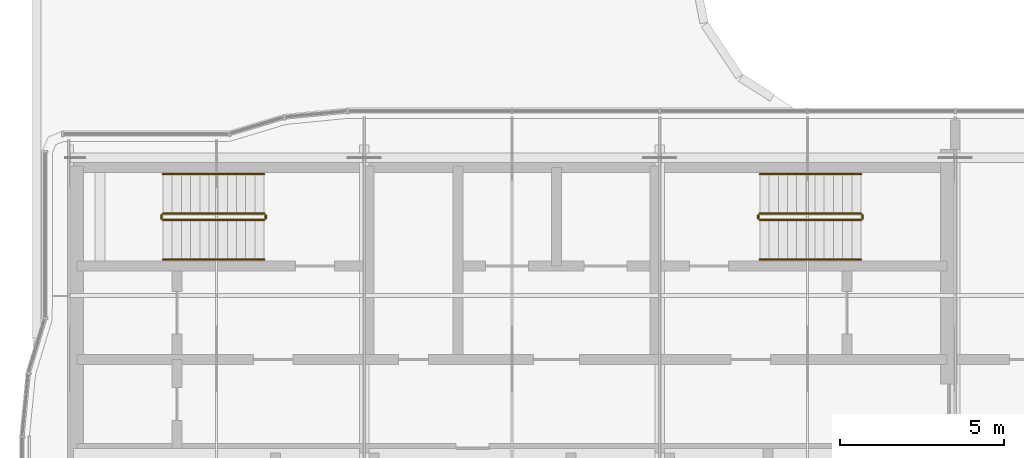
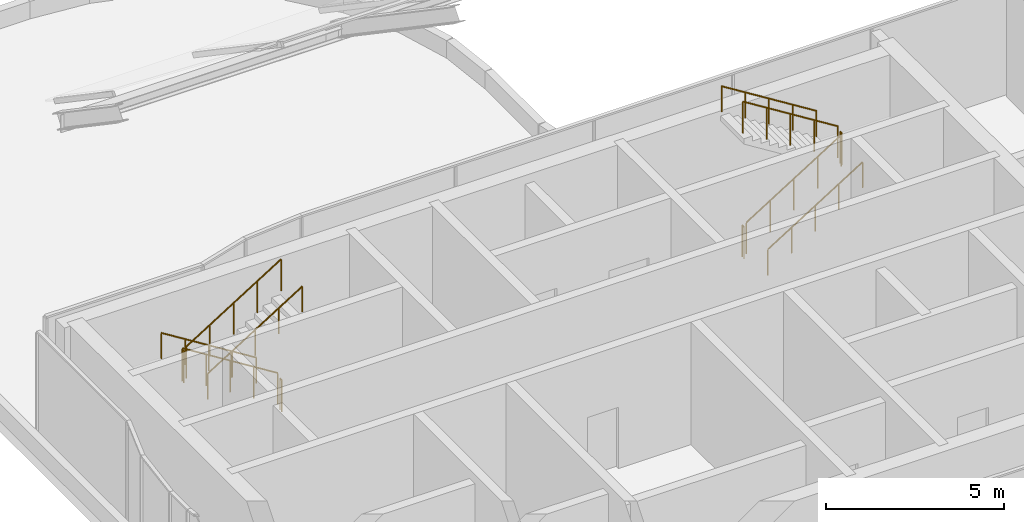
# One storey, part 25 of 25: 12 railings.
"""IFC4 building model written with IfcOpenShell, lengths in metres."""

from ifc_helpers import new_model, si_unit, direction, frame, origin, origin_2d, place, context, subcontext, project, spatial, circle, extrude, material, type_object, element, save


model = new_model("IFC4")

# Units and contexts
model_context = context("Model", 3, precision=1e-05, world=origin(), true_north=direction((0.0, 1.0)))
body_context = subcontext(model_context, "Body", "Model", "MODEL_VIEW")
ifc_project = project(units=[si_unit("LENGTHUNIT", "METRE"), si_unit("AREAUNIT", "SQUARE_METRE"), si_unit("VOLUMEUNIT", "CUBIC_METRE"), si_unit("PLANEANGLEUNIT", "RADIAN"), si_unit("MASSUNIT", "GRAM", prefix="KILO")], contexts=[model_context])

# Site, building, storey
site_placement = place(None, origin())
site = spatial("IfcSite", under=ifc_project, at=site_placement, CompositionType="ELEMENT")
building_placement = place(site_placement, origin())
building = spatial("IfcBuilding", under=site, at=building_placement, Name="Ogive Portal Towers", CompositionType="ELEMENT")
storey_placement = place(building_placement, frame((0.0, 0.0, 272.89990234375)))
storey = spatial("IfcBuildingStorey", under=building, at=storey_placement, Name="L66", CompositionType="ELEMENT", Elevation=272.89990234375)

# Railings
ifc_material_1 = material(Name="Stainless steel balustrade", Category="steel")
railing_type_1 = type_object("IfcRailingType", Name="INT-GUARD", PredefinedType="GUARDRAIL", material=ifc_material_1)
railing_1_placement = place(storey_placement, frame((37.449951171875, 37.800048828125, 0.175048828125)))
element("IfcRailing", 1, at=railing_1_placement, inside=storey, type_object=railing_type_1, Name="L66 ST-A1 stair guard 1", PredefinedType="GUARDRAIL", context=body_context, shape_type="SweptSolid", body=[
    extrude(circle(Radius=0.02392578125, at=origin_2d()), frame((0.0, 0.0, 1.076171875), z_axis=(-0.847979421464, 0.0, 0.530029150871), x_axis=(0.0, -1.0, 0.0)), (0.0, 0.0, 1.0), 3.632080078125),
    extrude(circle(Radius=0.02099609375, at=origin_2d()), origin(), (0.0, 0.0, 1.0), 1.052001953125),
    extrude(circle(Radius=0.02099609375, at=origin_2d()), frame((-0.77001953125, 0.0, 0.481201171875)), (0.0, 0.0, 1.0), 1.052001953125),
    extrude(circle(Radius=0.02099609375, at=origin_2d()), frame((-1.5400390625, 0.0, 0.96240234375)), (0.0, 0.0, 1.0), 1.052001953125),
    extrude(circle(Radius=0.02099609375, at=origin_2d()), frame((-2.309814453125, 0.0, 1.44384765625)), (0.0, 0.0, 1.0), 1.052001953125),
    extrude(circle(Radius=0.02099609375, at=origin_2d()), frame((-3.079833984375, 0.0, 1.925048828125)), (0.0, 0.0, 1.0), 1.052001953125),
])
railing_2_placement = place(storey_placement, frame((34.320068359375, 37.75, 2.10009765625)))
element("IfcRailing", 2, at=railing_2_placement, inside=storey, type_object=railing_type_1, Name="L66 ST-A1 stair guard 2", PredefinedType="GUARDRAIL", context=body_context, shape_type="SweptSolid", body=[
    extrude(circle(Radius=0.02392578125, at=origin_2d()), frame((0.0, 0.0, 1.076171875), z_axis=(0.0, -1.0, 0.0), x_axis=(1.0, 0.0, 0.0)), (0.0, 0.0, 1.0), 0.10009765625),
    extrude(circle(Radius=0.02099609375, at=origin_2d()), origin(), (0.0, 0.0, 1.0), 1.052001953125),
    extrude(circle(Radius=0.02099609375, at=origin_2d()), frame((0.0, -0.10009765625, 0.0)), (0.0, 0.0, 1.0), 1.052001953125),
])
railing_3_placement = place(storey_placement, frame((34.3701171875, 37.60009765625, 2.275146484375)))
element("IfcRailing", 3, at=railing_3_placement, inside=storey, type_object=railing_type_1, Name="L66 ST-A1 stair guard 3", PredefinedType="GUARDRAIL", context=body_context, shape_type="SweptSolid", body=[
    extrude(circle(Radius=0.02392578125, at=origin_2d()), frame((0.0, 0.0, 1.076171875), z_axis=(0.847979421464, 0.0, 0.530029150871), x_axis=(0.0, 1.0, 0.0)), (0.0, 0.0, 1.0), 3.632080078125),
    extrude(circle(Radius=0.02099609375, at=origin_2d()), origin(), (0.0, 0.0, 1.0), 1.052001953125),
    extrude(circle(Radius=0.02099609375, at=origin_2d()), frame((0.77001953125, 0.0, 0.481201171875)), (0.0, 0.0, 1.0), 1.052001953125),
    extrude(circle(Radius=0.02099609375, at=origin_2d()), frame((1.5400390625, 0.0, 0.96240234375)), (0.0, 0.0, 1.0), 1.052001953125),
    extrude(circle(Radius=0.02099609375, at=origin_2d()), frame((2.309814453125, 0.0, 1.44384765625)), (0.0, 0.0, 1.0), 1.052001953125),
    extrude(circle(Radius=0.02099609375, at=origin_2d()), frame((3.079833984375, 0.0, 1.925048828125)), (0.0, 0.0, 1.0), 1.052001953125),
])
railing_4_placement = place(storey_placement, frame((37.5, 37.75, 0.0)))
element("IfcRailing", 4, at=railing_4_placement, inside=storey, type_object=railing_type_1, Name="L66 ST-A1 stair guard 4", PredefinedType="GUARDRAIL", context=body_context, shape_type="SweptSolid", body=[
    extrude(circle(Radius=0.02392578125, at=origin_2d()), frame((0.0, 0.0, 1.076171875), z_axis=(0.0, -1.0, 0.0), x_axis=(1.0, 0.0, 0.0)), (0.0, 0.0, 1.0), 0.10009765625),
    extrude(circle(Radius=0.02099609375, at=origin_2d()), origin(), (0.0, 0.0, 1.0), 1.052001953125),
    extrude(circle(Radius=0.02099609375, at=origin_2d()), frame((0.0, -0.10009765625, 0.0)), (0.0, 0.0, 1.0), 1.052001953125),
])
railing_5_placement = place(storey_placement, frame((52.550048828125, 37.60009765625, 0.175048828125)))
element("IfcRailing", 5, at=railing_5_placement, inside=storey, type_object=railing_type_1, Name="L66 ST-A2 stair guard 1", PredefinedType="GUARDRAIL", context=body_context, shape_type="SweptSolid", body=[
    extrude(circle(Radius=0.02392578125, at=origin_2d()), frame((0.0, 0.0, 1.076171875), z_axis=(0.847979421464, 0.0, 0.530029150871), x_axis=(0.0, 1.0, 0.0)), (0.0, 0.0, 1.0), 3.632080078125),
    extrude(circle(Radius=0.02099609375, at=origin_2d()), origin(), (0.0, 0.0, 1.0), 1.052001953125),
    extrude(circle(Radius=0.02099609375, at=origin_2d()), frame((0.77001953125, 0.0, 0.481201171875)), (0.0, 0.0, 1.0), 1.052001953125),
    extrude(circle(Radius=0.02099609375, at=origin_2d()), frame((1.5400390625, 0.0, 0.96240234375)), (0.0, 0.0, 1.0), 1.052001953125),
    extrude(circle(Radius=0.02099609375, at=origin_2d()), frame((2.309814453125, 0.0, 1.44384765625)), (0.0, 0.0, 1.0), 1.052001953125),
    extrude(circle(Radius=0.02099609375, at=origin_2d()), frame((3.079833984375, 0.0, 1.925048828125)), (0.0, 0.0, 1.0), 1.052001953125),
])
railing_6_placement = place(storey_placement, frame((55.679931640625, 37.64990234375, 2.10009765625)))
element("IfcRailing", 6, at=railing_6_placement, inside=storey, type_object=railing_type_1, Name="L66 ST-A2 stair guard 2", PredefinedType="GUARDRAIL", context=body_context, shape_type="SweptSolid", body=[
    extrude(circle(Radius=0.02392578125, at=origin_2d()), frame((0.0, 0.0, 1.076171875), z_axis=(0.0, 1.0, 0.0), x_axis=(-1.0, 0.0, 0.0)), (0.0, 0.0, 1.0), 0.10009765625),
    extrude(circle(Radius=0.02099609375, at=origin_2d()), origin(), (0.0, 0.0, 1.0), 1.052001953125),
    extrude(circle(Radius=0.02099609375, at=origin_2d()), frame((0.0, 0.10009765625, 0.0)), (0.0, 0.0, 1.0), 1.052001953125),
])
railing_7_placement = place(storey_placement, frame((55.6298828125, 37.800048828125, 2.275146484375)))
element("IfcRailing", 7, at=railing_7_placement, inside=storey, type_object=railing_type_1, Name="L66 ST-A2 stair guard 3", PredefinedType="GUARDRAIL", context=body_context, shape_type="SweptSolid", body=[
    extrude(circle(Radius=0.02392578125, at=origin_2d()), frame((0.0, 0.0, 1.076171875), z_axis=(-0.847979421464, 0.0, 0.530029150871), x_axis=(0.0, -1.0, 0.0)), (0.0, 0.0, 1.0), 3.632080078125),
    extrude(circle(Radius=0.02099609375, at=origin_2d()), origin(), (0.0, 0.0, 1.0), 1.052001953125),
    extrude(circle(Radius=0.02099609375, at=origin_2d()), frame((-0.77001953125, 0.0, 0.481201171875)), (0.0, 0.0, 1.0), 1.052001953125),
    extrude(circle(Radius=0.02099609375, at=origin_2d()), frame((-1.5400390625, 0.0, 0.96240234375)), (0.0, 0.0, 1.0), 1.052001953125),
    extrude(circle(Radius=0.02099609375, at=origin_2d()), frame((-2.309814453125, 0.0, 1.44384765625)), (0.0, 0.0, 1.0), 1.052001953125),
    extrude(circle(Radius=0.02099609375, at=origin_2d()), frame((-3.079833984375, 0.0, 1.925048828125)), (0.0, 0.0, 1.0), 1.052001953125),
])
railing_8_placement = place(storey_placement, frame((52.5, 37.64990234375, 0.0)))
element("IfcRailing", 8, at=railing_8_placement, inside=storey, type_object=railing_type_1, Name="L66 ST-A2 stair guard 4", PredefinedType="GUARDRAIL", context=body_context, shape_type="SweptSolid", body=[
    extrude(circle(Radius=0.02392578125, at=origin_2d()), frame((0.0, 0.0, 1.076171875), z_axis=(0.0, 1.0, 0.0), x_axis=(-1.0, 0.0, 0.0)), (0.0, 0.0, 1.0), 0.10009765625),
    extrude(circle(Radius=0.02099609375, at=origin_2d()), origin(), (0.0, 0.0, 1.0), 1.052001953125),
    extrude(circle(Radius=0.02099609375, at=origin_2d()), frame((0.0, 0.10009765625, 0.0)), (0.0, 0.0, 1.0), 1.052001953125),
])
ifc_material_2 = material(Name="Stainless steel handrail", Category="steel")
railing_type_2 = type_object("IfcRailingType", Name="INT-HANDRAIL", PredefinedType="HANDRAIL", material=ifc_material_2)
railing_9_placement = place(storey_placement, frame((37.449951171875, 39.0, 0.175048828125)))
element("IfcRailing", 9, at=railing_9_placement, inside=storey, type_object=railing_type_2, Name="L66 ST-A1 stair handrail 1", PredefinedType="HANDRAIL", context=body_context, shape_type="SweptSolid", body=[
    extrude(circle(Radius=0.02392578125, at=origin_2d()), frame((0.0, 0.0, 0.8759765625), z_axis=(-0.847979421464, 0.0, 0.530029150871), x_axis=(0.0, -1.0, 0.0)), (0.0, 0.0, 1.0), 3.632080078125),
    extrude(circle(Radius=0.02099609375, at=origin_2d()), origin(), (0.0, 0.0, 1.0), 0.851806640625),
    extrude(circle(Radius=0.02099609375, at=origin_2d()), frame((-0.77001953125, 0.0, 0.481201171875)), (0.0, 0.0, 1.0), 0.851806640625),
    extrude(circle(Radius=0.02099609375, at=origin_2d()), frame((-1.5400390625, 0.0, 0.96240234375)), (0.0, 0.0, 1.0), 0.851806640625),
    extrude(circle(Radius=0.02099609375, at=origin_2d()), frame((-2.309814453125, 0.0, 1.44384765625)), (0.0, 0.0, 1.0), 0.851806640625),
    extrude(circle(Radius=0.02099609375, at=origin_2d()), frame((-3.079833984375, 0.0, 1.925048828125)), (0.0, 0.0, 1.0), 0.851806640625),
])
for number, where, name in (
    (10, (34.3701171875, 36.39990234375, 2.275146484375), "L66 ST-A1 stair handrail 2"),
    (11, (52.550048828125, 36.39990234375, 0.175048828125), "L66 ST-A2 stair handrail 1"),
):
    element("IfcRailing", number, at=place(storey_placement, frame(where)), inside=storey, type_object=railing_type_2, Name=name, PredefinedType="HANDRAIL", context=body_context, shape_type="SweptSolid", body=[
        extrude(circle(Radius=0.02392578125, at=origin_2d()), frame((0.0, 0.0, 0.8759765625), z_axis=(0.847979421464, 0.0, 0.530029150871), x_axis=(0.0, 1.0, 0.0)), (0.0, 0.0, 1.0), 3.632080078125),
        extrude(circle(Radius=0.02099609375, at=origin_2d()), origin(), (0.0, 0.0, 1.0), 0.851806640625),
        extrude(circle(Radius=0.02099609375, at=origin_2d()), frame((0.77001953125, 0.0, 0.481201171875)), (0.0, 0.0, 1.0), 0.851806640625),
        extrude(circle(Radius=0.02099609375, at=origin_2d()), frame((1.5400390625, 0.0, 0.96240234375)), (0.0, 0.0, 1.0), 0.851806640625),
        extrude(circle(Radius=0.02099609375, at=origin_2d()), frame((2.309814453125, 0.0, 1.44384765625)), (0.0, 0.0, 1.0), 0.851806640625),
        extrude(circle(Radius=0.02099609375, at=origin_2d()), frame((3.079833984375, 0.0, 1.925048828125)), (0.0, 0.0, 1.0), 0.851806640625),
    ])
railing_10_placement = place(storey_placement, frame((55.6298828125, 39.0, 2.275146484375)))
element("IfcRailing", 12, at=railing_10_placement, inside=storey, type_object=railing_type_2, Name="L66 ST-A2 stair handrail 2", PredefinedType="HANDRAIL", context=body_context, shape_type="SweptSolid", body=[
    extrude(circle(Radius=0.02392578125, at=origin_2d()), frame((0.0, 0.0, 0.8759765625), z_axis=(-0.847979421464, 0.0, 0.530029150871), x_axis=(0.0, -1.0, 0.0)), (0.0, 0.0, 1.0), 3.632080078125),
    extrude(circle(Radius=0.02099609375, at=origin_2d()), origin(), (0.0, 0.0, 1.0), 0.851806640625),
    extrude(circle(Radius=0.02099609375, at=origin_2d()), frame((-0.77001953125, 0.0, 0.481201171875)), (0.0, 0.0, 1.0), 0.851806640625),
    extrude(circle(Radius=0.02099609375, at=origin_2d()), frame((-1.5400390625, 0.0, 0.96240234375)), (0.0, 0.0, 1.0), 0.851806640625),
    extrude(circle(Radius=0.02099609375, at=origin_2d()), frame((-2.309814453125, 0.0, 1.44384765625)), (0.0, 0.0, 1.0), 0.851806640625),
    extrude(circle(Radius=0.02099609375, at=origin_2d()), frame((-3.079833984375, 0.0, 1.925048828125)), (0.0, 0.0, 1.0), 0.851806640625),
])

save(model, "model.ifc")
